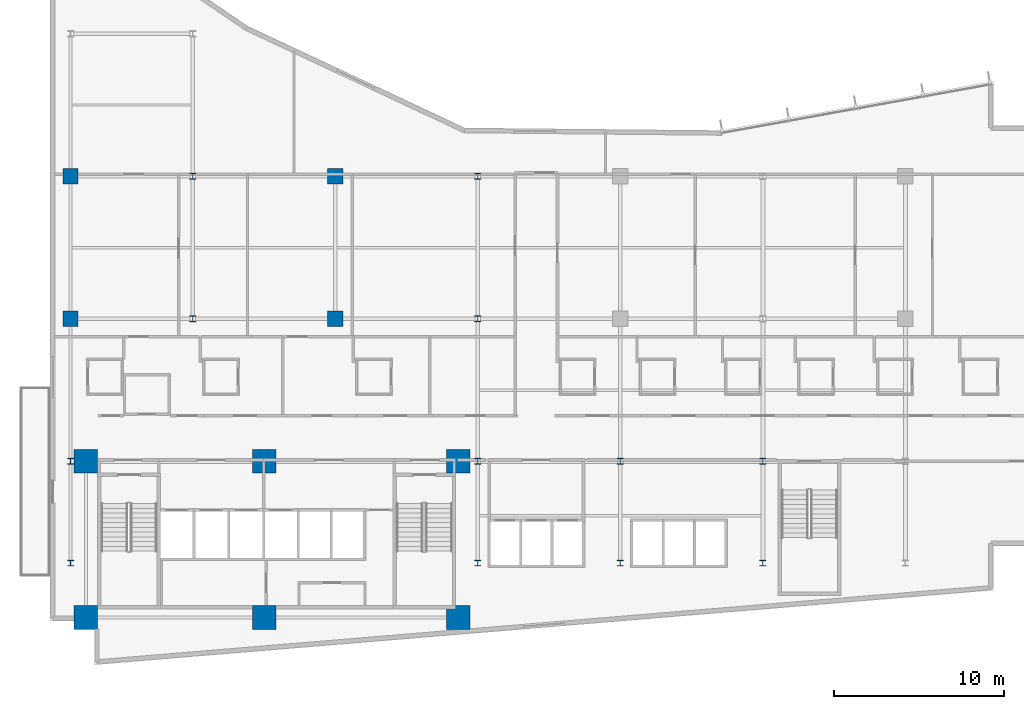
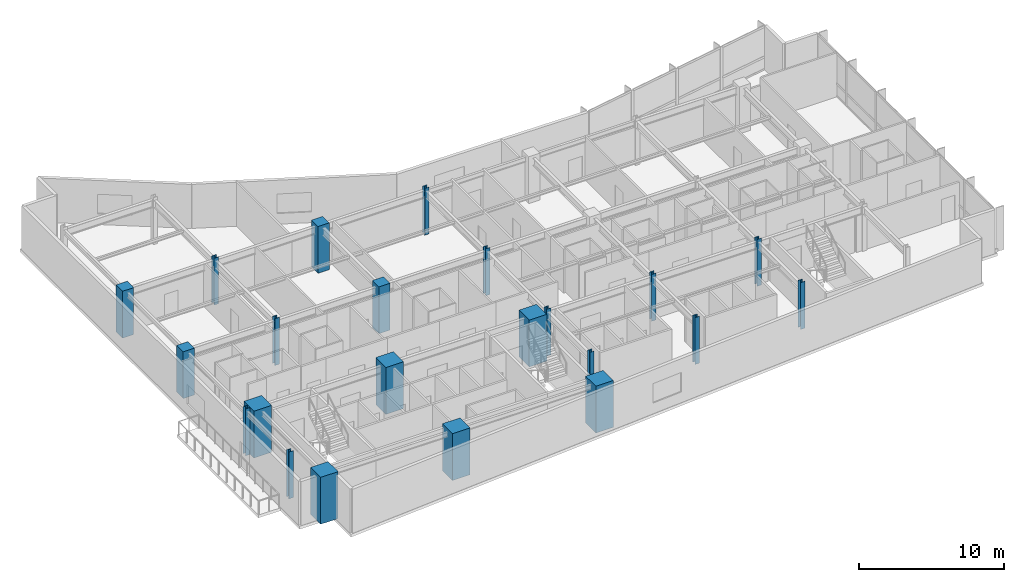
# One storey, part 1 of 20: 22 columns.
"""IFC4 building model written with IfcOpenShell, lengths in metres."""

from ifc_helpers import new_model, si_unit, direction, frame, origin, origin_2d, place, context, subcontext, project, spatial, rectangle, i_section, extrude, material, material_profile, profile_set, type_object, element, save


model = new_model("IFC4")

# Units and contexts
model_context = context("Model", 3, precision=1e-05, world=origin(), true_north=direction((0.0, 1.0)))
body_context = subcontext(model_context, "Body", "Model", "MODEL_VIEW")
ifc_project = project(units=[si_unit("LENGTHUNIT", "METRE"), si_unit("AREAUNIT", "SQUARE_METRE"), si_unit("VOLUMEUNIT", "CUBIC_METRE"), si_unit("PLANEANGLEUNIT", "RADIAN"), si_unit("MASSUNIT", "GRAM", prefix="KILO")], contexts=[model_context])

# Site, building, storey
site_placement = place(None, origin())
site = spatial("IfcSite", under=ifc_project, at=site_placement, CompositionType="ELEMENT")
building_placement = place(site_placement, origin())
building = spatial("IfcBuilding", under=site, at=building_placement, Name="Varnakote Quay Hospital", CompositionType="ELEMENT")
storey_placement = place(building_placement, frame((0.0, 0.0, 58.050048828125)))
storey = spatial("IfcBuildingStorey", under=building, at=storey_placement, Name="L14", CompositionType="ELEMENT", Elevation=58.050048828125)

# Columns
ifc_material_1 = material(Name="Concrete N80 (f'c 80 MPa)", Category="concrete")
ifc_material_profile_1 = material_profile(ifc_material_1, rectangle(XDim=1.39990234375, YDim=1.39990234375, at=origin_2d()), Name="RC-COL-1400x1400")
ifc_profile_set_1 = profile_set([ifc_material_profile_1], Name="Concrete N80 (f'c 80 MPa)")
column_type_1 = type_object("IfcColumnType", Name="COL-RC-1400", PredefinedType="COLUMN", material=ifc_profile_set_1)
for number, where, z_axis, x_axis, name in (
    (1, (2.10009765625, 2.800048828125, 0.0), (0.0, 0.0, 1.0), (1.0, 0.0, 0.0), "L14 Structural Column C-2-3"),
    (2, (12.6201171875, 2.800048828125, 0.0), (0.0, 0.0, 1.0), (1.0, 0.0, 0.0), "L14 Structural Column C-13-3"),
    (3, (24.050048828125, 2.800048828125, 0.0), (0.0, 0.0, 1.0), (1.0, 0.0, 0.0), "L14 Structural Column C-24-3"),
    (4, (2.10009765625, 12.0, 0.0), (0.0, 0.0, 1.0), (1.0, 0.0, 0.0), "L14 Structural Column C-2-12"),
    (5, (12.6201171875, 12.0, 0.0), (0.0, 0.0, 1.0), (1.0, 0.0, 0.0), "L14 Structural Column C-13-12"),
    (6, (24.050048828125, 12.0, 0.0), (0.0, 0.0, 1.0), (1.0, 0.0, 0.0), "L14 Structural Column C-24-12"),
):
    element("IfcColumn", number, at=place(storey_placement, frame(where, z_axis=z_axis, x_axis=x_axis)), inside=storey, type_object=column_type_1, Name=name, PredefinedType="COLUMN", context=body_context, shape_type="SweptSolid", body=[
        extrude(rectangle(XDim=1.39990234375, YDim=1.39990234375, at=origin_2d()), origin(), (0.0, 0.0, 1.0), 3.949951171875),
    ])
ifc_material_2 = material(Name="Concrete N50 (f'c 50 MPa)", Category="concrete")
ifc_material_profile_2 = material_profile(ifc_material_2, rectangle(XDim=0.89990234375, YDim=0.89990234375, at=origin_2d()), Name="RC-COL-900x900")
ifc_profile_set_2 = profile_set([ifc_material_profile_2], Name="Concrete N50 (f'c 50 MPa)")
column_type_2 = type_object("IfcColumnType", Name="COL-RC-900", PredefinedType="COLUMN", material=ifc_profile_set_2)
for number, where, z_axis, x_axis, name in (
    (7, (1.199951171875, 20.39990234375, 0.0), (0.0, 0.0, 1.0), (1.0, 0.0, 0.0), "L14 Structural Column C-1-20"),
    (8, (16.800048828125, 20.39990234375, 0.0), (0.0, 0.0, 1.0), (1.0, 0.0, 0.0), "L14 Structural Column C-17-20"),
    (9, (1.199951171875, 28.800048828125, 0.0), (0.0, 0.0, 1.0), (1.0, 0.0, 0.0), "L14 Structural Column C-1-29"),
    (10, (16.800048828125, 28.800048828125, 0.0), (0.0, 0.0, 1.0), (1.0, 0.0, 0.0), "L14 Structural Column C-17-29"),
):
    element("IfcColumn", number, at=place(storey_placement, frame(where, z_axis=z_axis, x_axis=x_axis)), inside=storey, type_object=column_type_2, Name=name, PredefinedType="COLUMN", context=body_context, shape_type="SweptSolid", body=[
        extrude(rectangle(XDim=0.89990234375, YDim=0.89990234375, at=origin_2d()), origin(), (0.0, 0.0, 1.0), 3.949951171875),
    ])
ifc_material_3 = material(Name="Structural steel AS/NZS 3678 Grade 350 (fy 340 MPa)", Category="steel")
ifc_material_profile_3 = material_profile(ifc_material_3, i_section(OverallWidth=0.35009765625, OverallDepth=0.340087890625, WebThickness=0.01611328125, FlangeThickness=0.028076171875, at=origin_2d()), Name="350WC197")
ifc_profile_set_3 = profile_set([ifc_material_profile_3], Name="Structural steel AS/NZS 3678 Grade 350 (fy 340 MPa)")
column_type_3 = type_object("IfcColumnType", Name="COL-STL-350WC197", PredefinedType="COLUMN", material=ifc_profile_set_3)
for number, where, z_axis, x_axis, name in (
    (11, (1.199951171875, 6.0, 0.0), (0.0, 0.0, 1.0), (1.0, 0.0, 0.0), "L14 Structural Column C-1-6"),
    (12, (25.199951171875, 6.0, 0.0), (0.0, 0.0, 1.0), (1.0, 0.0, 0.0), "L14 Structural Column C-25-6"),
    (13, (33.60009765625, 6.0, 0.0), (0.0, 0.0, 1.0), (1.0, 0.0, 0.0), "L14 Structural Column C-34-6"),
    (14, (42.0, 6.0, 0.0), (0.0, 0.0, 1.0), (1.0, 0.0, 0.0), "L14 Structural Column C-42-6"),
    (15, (1.199951171875, 12.0, 0.0), (0.0, 0.0, 1.0), (1.0, 0.0, 0.0), "L14 Structural Column C-1-12"),
    (16, (25.199951171875, 12.0, 0.0), (0.0, 0.0, 1.0), (1.0, 0.0, 0.0), "L14 Structural Column C-25-12"),
    (17, (33.60009765625, 12.0, 0.0), (0.0, 0.0, 1.0), (1.0, 0.0, 0.0), "L14 Structural Column C-34-12"),
    (18, (42.0, 12.0, 0.0), (0.0, 0.0, 1.0), (1.0, 0.0, 0.0), "L14 Structural Column C-42-12"),
    (19, (8.39990234375, 20.39990234375, 0.0), (0.0, 0.0, 1.0), (1.0, 0.0, 0.0), "L14 Structural Column C-8-20"),
    (20, (25.199951171875, 20.39990234375, 0.0), (0.0, 0.0, 1.0), (1.0, 0.0, 0.0), "L14 Structural Column C-25-20"),
    (21, (8.39990234375, 28.800048828125, 0.0), (0.0, 0.0, 1.0), (1.0, 0.0, 0.0), "L14 Structural Column C-8-29"),
    (22, (25.199951171875, 28.800048828125, 0.0), (0.0, 0.0, 1.0), (1.0, 0.0, 0.0), "L14 Structural Column C-25-29"),
):
    element("IfcColumn", number, at=place(storey_placement, frame(where, z_axis=z_axis, x_axis=x_axis)), inside=storey, type_object=column_type_3, Name=name, PredefinedType="COLUMN", context=body_context, shape_type="SweptSolid", body=[
        extrude(i_section(OverallWidth=0.35009765625, OverallDepth=0.340087890625, WebThickness=0.01611328125, FlangeThickness=0.028076171875, at=origin_2d()), origin(), (0.0, 0.0, 1.0), 3.949951171875),
    ])

save(model, "model.ifc")
